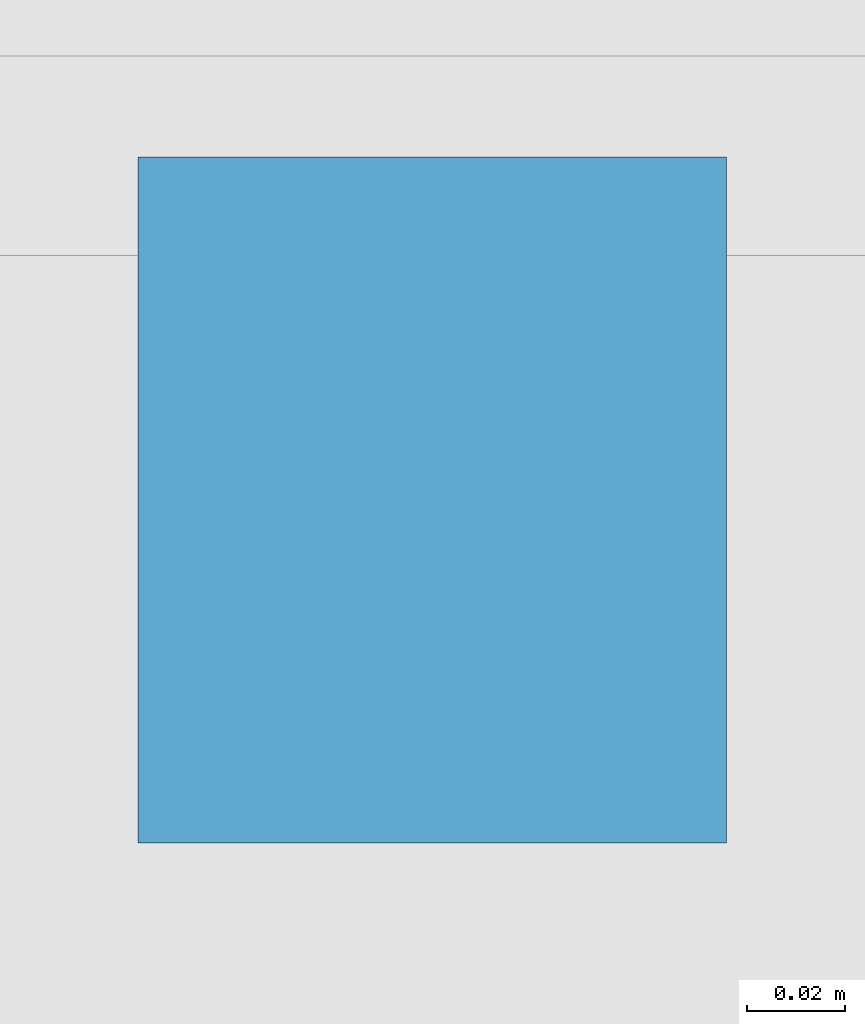
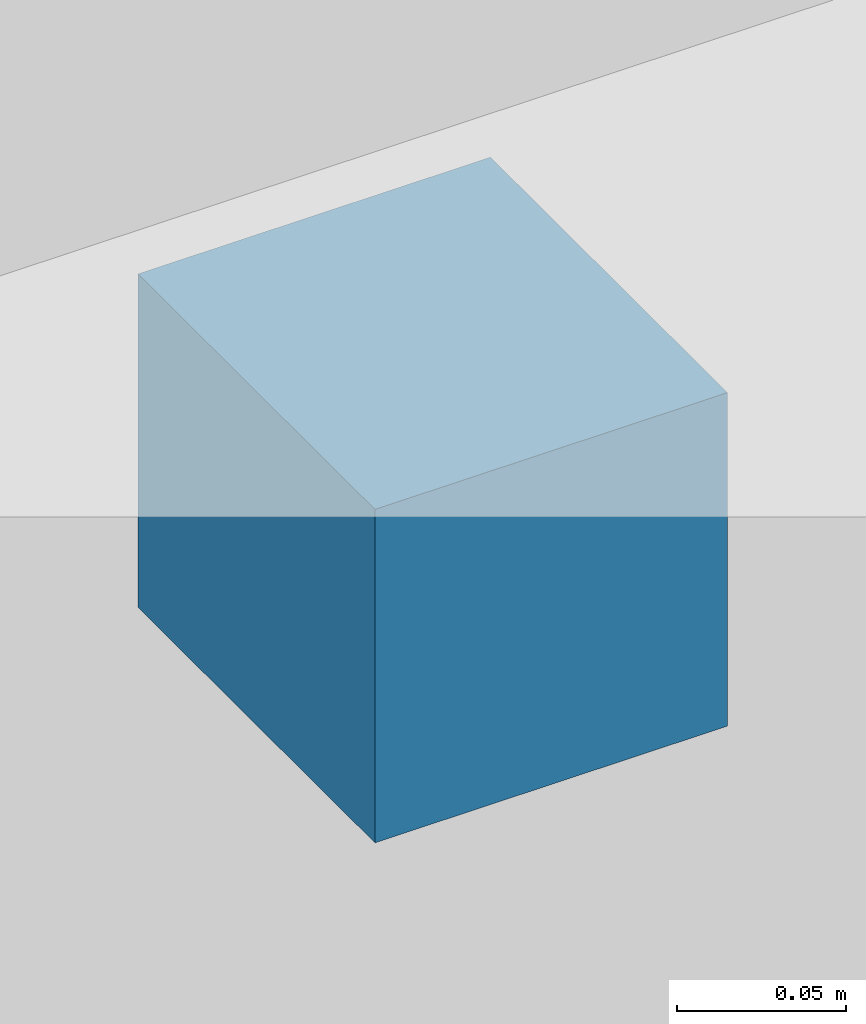
# One storey, part 92 of 106: 1 discrete accessory.
"""IFC4 building model written with IfcOpenShell, lengths in metres."""

from ifc_helpers import new_model, si_unit, direction, frame, origin, origin_2d, place, context, subcontext, project, spatial, rectangle, extrude, material, type_object, element, save


model = new_model("IFC4")

# Units and contexts
model_context = context("Model", 3, precision=1e-05, world=origin(), true_north=direction((0.0, 1.0)))
body_context = subcontext(model_context, "Body", "Model", "MODEL_VIEW")
ifc_project = project(units=[si_unit("LENGTHUNIT", "METRE"), si_unit("AREAUNIT", "SQUARE_METRE"), si_unit("VOLUMEUNIT", "CUBIC_METRE"), si_unit("PLANEANGLEUNIT", "RADIAN"), si_unit("MASSUNIT", "GRAM", prefix="KILO"), si_unit("POWERUNIT", "WATT"), si_unit("THERMODYNAMICTEMPERATUREUNIT", "KELVIN")], contexts=[model_context])

# Site, building, storey
site_placement = place(None, origin())
site = spatial("IfcSite", under=ifc_project, at=site_placement, CompositionType="ELEMENT")
building_placement = place(site_placement, origin())
building = spatial("IfcBuilding", under=site, at=building_placement, Name="Kelmbourne Parkland Aquatics Centre", CompositionType="ELEMENT")
storey_placement = place(building_placement, frame((0.0, 0.0, 5.39990234375)))
storey = spatial("IfcBuildingStorey", under=building, at=storey_placement, Name="L01", CompositionType="ELEMENT", Elevation=5.39990234375)

# Discrete accessory
ifc_material = material(Name="Hot-dip galvanised structural steel AS/NZS 4680", Category="steel")
discrete_accessory_type = type_object("IfcDiscreteAccessoryType", Name="ACC-BRK-1", PredefinedType="BRACKET", material=ifc_material)
discrete_accessory_placement = place(storey_placement, frame((37.64794921875, 0.60498046875, 3.090087890625), z_axis=(0.0, 0.0, 1.0), x_axis=(1.0, 0.0, 0.0)))
element("IfcDiscreteAccessory", 1, at=discrete_accessory_placement, inside=storey, type_object=discrete_accessory_type, Name="Galvanised sunshade fixing bracket 103", PredefinedType="BRACKET", context=body_context, shape_type="SweptSolid", body=[
    extrude(rectangle(XDim=0.1201171875, YDim=0.139892578125, at=origin_2d()), origin(), (0.0, 0.0, 1.0), 0.1201171875),
])

save(model, "model.ifc")
